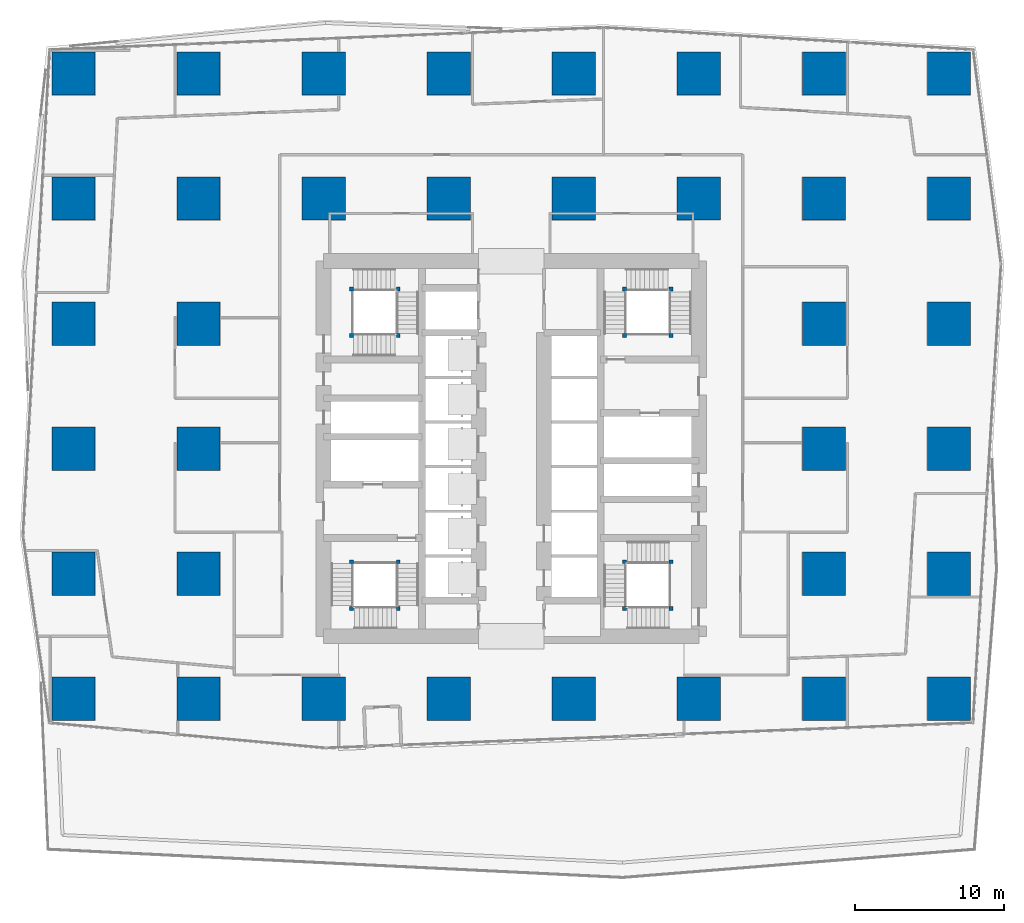
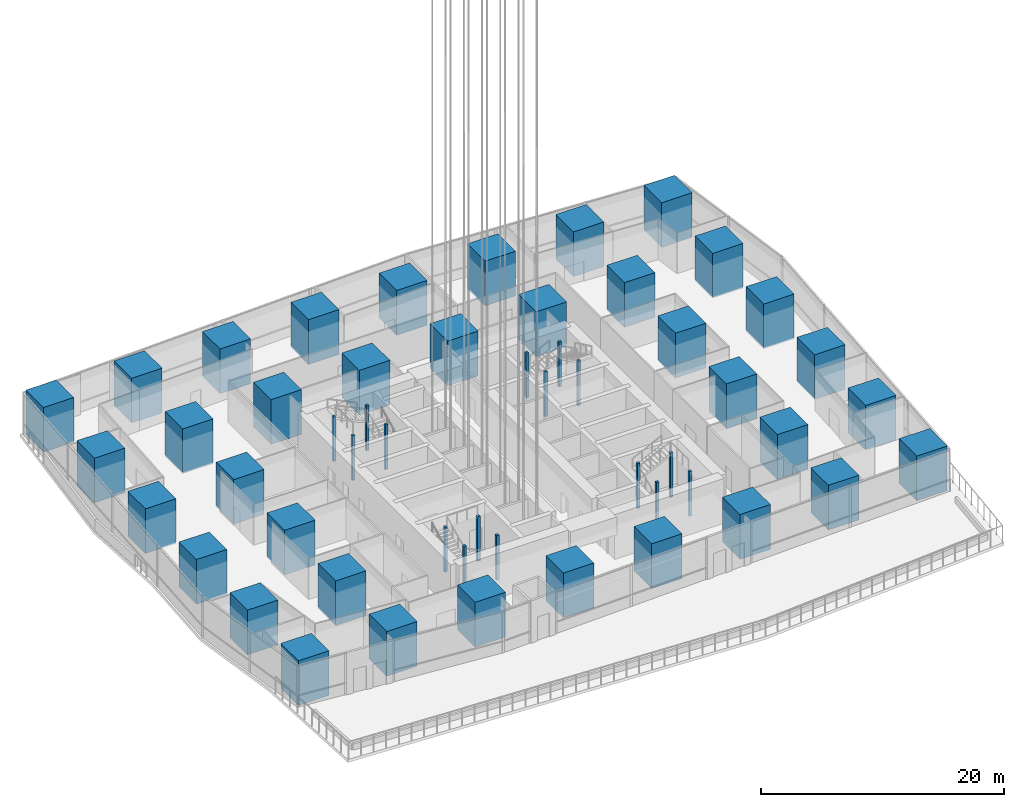
# One storey, part 1 of 44: 52 columns.
"""IFC4 building model written with IfcOpenShell, lengths in metres."""

from ifc_helpers import new_model, si_unit, direction, frame, origin, origin_2d, place, context, subcontext, project, spatial, rectangle, extrude, material, material_profile, profile_set, type_object, element, save


model = new_model("IFC4")

# Units and contexts
model_context = context("Model", 3, precision=1e-05, world=origin(), true_north=direction((0.0, 1.0)))
body_context = subcontext(model_context, "Body", "Model", "MODEL_VIEW")
ifc_project = project(units=[si_unit("LENGTHUNIT", "METRE"), si_unit("AREAUNIT", "SQUARE_METRE"), si_unit("VOLUMEUNIT", "CUBIC_METRE"), si_unit("PLANEANGLEUNIT", "RADIAN"), si_unit("MASSUNIT", "GRAM", prefix="KILO")], contexts=[model_context])

# Site, building, storey
site_placement = place(None, origin())
site = spatial("IfcSite", under=ifc_project, at=site_placement, CompositionType="ELEMENT")
building_placement = place(site_placement, origin())
building = spatial("IfcBuilding", under=site, at=building_placement, Name="Rekha Terrace Tower", CompositionType="ELEMENT")
storey_placement = place(building_placement, frame((0.0, 0.0, 90.800048828125)))
storey = spatial("IfcBuildingStorey", under=building, at=storey_placement, Name="L22", CompositionType="ELEMENT", Elevation=90.800048828125)

# Columns
ifc_material_1 = material(Name="Concrete M70", Category="concrete")
ifc_material_profile_1 = material_profile(ifc_material_1, rectangle(XDim=2.89990234375, YDim=2.89990234375, at=origin_2d()), Name="RC 2900x2900")
ifc_profile_set_1 = profile_set([ifc_material_profile_1], Name="Concrete M70")
column_type_1 = type_object("IfcColumnType", Name="C3B 2900x2900 column", PredefinedType="COLUMN", material=ifc_profile_set_1)
for number, where, z_axis, x_axis, name in (
    (1, (8.39990234375, 16.800048828125, 0.0), (0.0, 0.0, 1.0), (1.0, 0.0, 0.0), "Column C3B 2/C L22"),
    (2, (8.39990234375, 25.199951171875, 0.0), (0.0, 0.0, 1.0), (1.0, 0.0, 0.0), "Column C3B 2/D L22"),
    (3, (8.39990234375, 33.60009765625, 0.0), (0.0, 0.0, 1.0), (1.0, 0.0, 0.0), "Column C3B 2/E L22"),
    (4, (8.39990234375, 42.0, 0.0), (0.0, 0.0, 1.0), (1.0, 0.0, 0.0), "Column C3B 2/F L22"),
    (5, (8.39990234375, 50.39990234375, 0.0), (0.0, 0.0, 1.0), (1.0, 0.0, 0.0), "Column C3B 2/G L22"),
    (6, (8.39990234375, 58.800048828125, 0.0), (0.0, 0.0, 1.0), (1.0, 0.0, 0.0), "Column C3B 2/H L22"),
    (7, (16.800048828125, 16.800048828125, 0.0), (0.0, 0.0, 1.0), (1.0, 0.0, 0.0), "Column C3B 3/C L22"),
    (8, (16.800048828125, 25.199951171875, 0.0), (0.0, 0.0, 1.0), (1.0, 0.0, 0.0), "Column C3B 3/D L22"),
    (9, (16.800048828125, 33.60009765625, 0.0), (0.0, 0.0, 1.0), (1.0, 0.0, 0.0), "Column C3B 3/E L22"),
    (10, (16.800048828125, 42.0, 0.0), (0.0, 0.0, 1.0), (1.0, 0.0, 0.0), "Column C3B 3/F L22"),
    (11, (16.800048828125, 50.39990234375, 0.0), (0.0, 0.0, 1.0), (1.0, 0.0, 0.0), "Column C3B 3/G L22"),
    (12, (16.800048828125, 58.800048828125, 0.0), (0.0, 0.0, 1.0), (1.0, 0.0, 0.0), "Column C3B 3/H L22"),
    (13, (25.199951171875, 16.800048828125, 0.0), (0.0, 0.0, 1.0), (1.0, 0.0, 0.0), "Column C3B 4/C L22"),
    (14, (25.199951171875, 50.39990234375, 0.0), (0.0, 0.0, 1.0), (1.0, 0.0, 0.0), "Column C3B 4/G L22"),
    (15, (25.199951171875, 58.800048828125, 0.0), (0.0, 0.0, 1.0), (1.0, 0.0, 0.0), "Column C3B 4/H L22"),
    (16, (33.60009765625, 16.800048828125, 0.0), (0.0, 0.0, 1.0), (1.0, 0.0, 0.0), "Column C3B 5/C L22"),
    (17, (33.60009765625, 50.39990234375, 0.0), (0.0, 0.0, 1.0), (1.0, 0.0, 0.0), "Column C3B 5/G L22"),
    (18, (33.60009765625, 58.800048828125, 0.0), (0.0, 0.0, 1.0), (1.0, 0.0, 0.0), "Column C3B 5/H L22"),
    (19, (42.0, 16.800048828125, 0.0), (0.0, 0.0, 1.0), (1.0, 0.0, 0.0), "Column C3B 6/C L22"),
    (20, (42.0, 50.39990234375, 0.0), (0.0, 0.0, 1.0), (1.0, 0.0, 0.0), "Column C3B 6/G L22"),
    (21, (42.0, 58.800048828125, 0.0), (0.0, 0.0, 1.0), (1.0, 0.0, 0.0), "Column C3B 6/H L22"),
    (22, (50.39990234375, 16.800048828125, 0.0), (0.0, 0.0, 1.0), (1.0, 0.0, 0.0), "Column C3B 7/C L22"),
    (23, (50.39990234375, 50.39990234375, 0.0), (0.0, 0.0, 1.0), (1.0, 0.0, 0.0), "Column C3B 7/G L22"),
    (24, (50.39990234375, 58.800048828125, 0.0), (0.0, 0.0, 1.0), (1.0, 0.0, 0.0), "Column C3B 7/H L22"),
    (25, (58.800048828125, 16.800048828125, 0.0), (0.0, 0.0, 1.0), (1.0, 0.0, 0.0), "Column C3B 8/C L22"),
    (26, (58.800048828125, 25.199951171875, 0.0), (0.0, 0.0, 1.0), (1.0, 0.0, 0.0), "Column C3B 8/D L22"),
    (27, (58.800048828125, 33.60009765625, 0.0), (0.0, 0.0, 1.0), (1.0, 0.0, 0.0), "Column C3B 8/E L22"),
    (28, (58.800048828125, 42.0, 0.0), (0.0, 0.0, 1.0), (1.0, 0.0, 0.0), "Column C3B 8/F L22"),
    (29, (58.800048828125, 50.39990234375, 0.0), (0.0, 0.0, 1.0), (1.0, 0.0, 0.0), "Column C3B 8/G L22"),
    (30, (58.800048828125, 58.800048828125, 0.0), (0.0, 0.0, 1.0), (1.0, 0.0, 0.0), "Column C3B 8/H L22"),
    (31, (67.199951171875, 16.800048828125, 0.0), (0.0, 0.0, 1.0), (1.0, 0.0, 0.0), "Column C3B 9/C L22"),
    (32, (67.199951171875, 25.199951171875, 0.0), (0.0, 0.0, 1.0), (1.0, 0.0, 0.0), "Column C3B 9/D L22"),
    (33, (67.199951171875, 33.60009765625, 0.0), (0.0, 0.0, 1.0), (1.0, 0.0, 0.0), "Column C3B 9/E L22"),
    (34, (67.199951171875, 42.0, 0.0), (0.0, 0.0, 1.0), (1.0, 0.0, 0.0), "Column C3B 9/F L22"),
    (35, (67.199951171875, 50.39990234375, 0.0), (0.0, 0.0, 1.0), (1.0, 0.0, 0.0), "Column C3B 9/G L22"),
    (36, (67.199951171875, 58.800048828125, 0.0), (0.0, 0.0, 1.0), (1.0, 0.0, 0.0), "Column C3B 9/H L22"),
):
    element("IfcColumn", number, at=place(storey_placement, frame(where, z_axis=z_axis, x_axis=x_axis)), inside=storey, type_object=column_type_1, Name=name, PredefinedType="COLUMN", context=body_context, shape_type="SweptSolid", body=[
        extrude(rectangle(XDim=2.89990234375, YDim=2.89990234375, at=origin_2d()), origin(), (0.0, 0.0, 1.0), 4.5),
    ])
ifc_material_2 = material(Name="Concrete M60", Category="concrete")
ifc_material_profile_2 = material_profile(ifc_material_2, rectangle(XDim=0.25, YDim=0.25, at=origin_2d()), Name="RC 250x250")
ifc_profile_set_2 = profile_set([ifc_material_profile_2], Name="Concrete M60")
column_type_2 = type_object("IfcColumnType", Name="NP1 250x250 stair newel post", PredefinedType="COLUMN", material=ifc_profile_set_2)
for number, where, z_axis, x_axis, name in (
    (37, (30.199951171875, 26.0, 0.0), (0.0, 0.0, 1.0), (1.0, 0.0, 0.0), "Stair newel post NP1"),
    (38, (30.199951171875, 22.875, 0.0), (0.0, 0.0, 1.0), (1.0, 0.0, 0.0), "Stair newel post NP1"),
    (39, (27.074951171875, 22.875, 0.0), (0.0, 0.0, 1.0), (1.0, 0.0, 0.0), "Stair newel post NP1"),
    (40, (27.074951171875, 26.0, 0.0), (0.0, 0.0, 1.0), (1.0, 0.0, 0.0), "Stair newel post NP1"),
    (41, (45.39990234375, 41.199951171875, 0.0), (0.0, 0.0, 1.0), (1.0, 0.0, 0.0), "Stair newel post NP1"),
    (42, (45.39990234375, 44.324951171875, 0.0), (0.0, 0.0, 1.0), (1.0, 0.0, 0.0), "Stair newel post NP1"),
    (43, (48.52490234375, 44.324951171875, 0.0), (0.0, 0.0, 1.0), (1.0, 0.0, 0.0), "Stair newel post NP1"),
    (44, (48.52490234375, 41.199951171875, 0.0), (0.0, 0.0, 1.0), (1.0, 0.0, 0.0), "Stair newel post NP1"),
    (45, (48.52490234375, 22.875, 0.0), (0.0, 0.0, 1.0), (1.0, 0.0, 0.0), "Stair newel post NP1"),
    (46, (45.39990234375, 22.875, 0.0), (0.0, 0.0, 1.0), (1.0, 0.0, 0.0), "Stair newel post NP1"),
    (47, (45.39990234375, 26.0, 0.0), (0.0, 0.0, 1.0), (1.0, 0.0, 0.0), "Stair newel post NP1"),
    (48, (48.52490234375, 26.0, 0.0), (0.0, 0.0, 1.0), (1.0, 0.0, 0.0), "Stair newel post NP1"),
    (49, (27.074951171875, 41.199951171875, 0.0), (0.0, 0.0, 1.0), (1.0, 0.0, 0.0), "Stair newel post NP1"),
    (50, (30.199951171875, 41.199951171875, 0.0), (0.0, 0.0, 1.0), (1.0, 0.0, 0.0), "Stair newel post NP1"),
    (51, (30.199951171875, 44.324951171875, 0.0), (0.0, 0.0, 1.0), (1.0, 0.0, 0.0), "Stair newel post NP1"),
    (52, (27.074951171875, 44.324951171875, 0.0), (0.0, 0.0, 1.0), (1.0, 0.0, 0.0), "Stair newel post NP1"),
):
    element("IfcColumn", number, at=place(storey_placement, frame(where, z_axis=z_axis, x_axis=x_axis)), inside=storey, type_object=column_type_2, Name=name, PredefinedType="COLUMN", context=body_context, shape_type="SweptSolid", body=[
        extrude(rectangle(XDim=0.25, YDim=0.25, at=origin_2d()), origin(), (0.0, 0.0, 1.0), 4.5),
    ])

save(model, "model.ifc")
